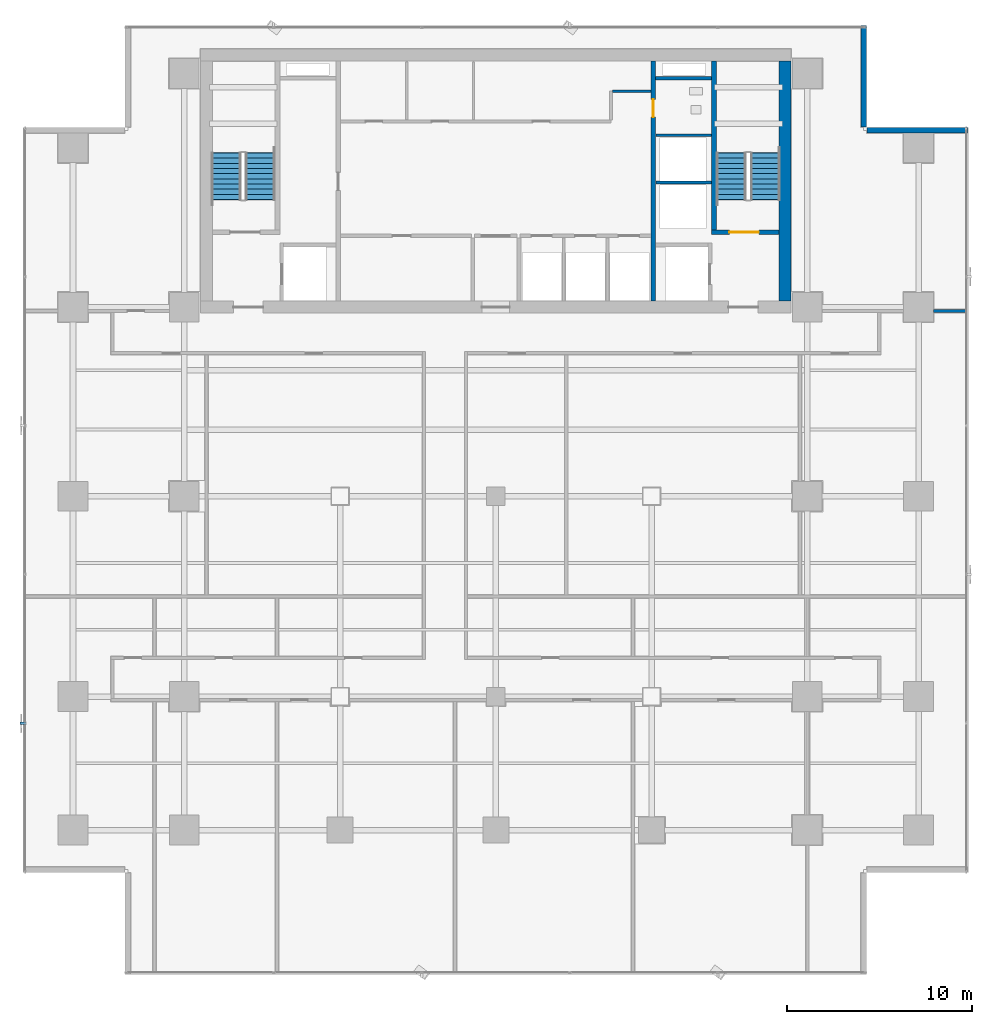
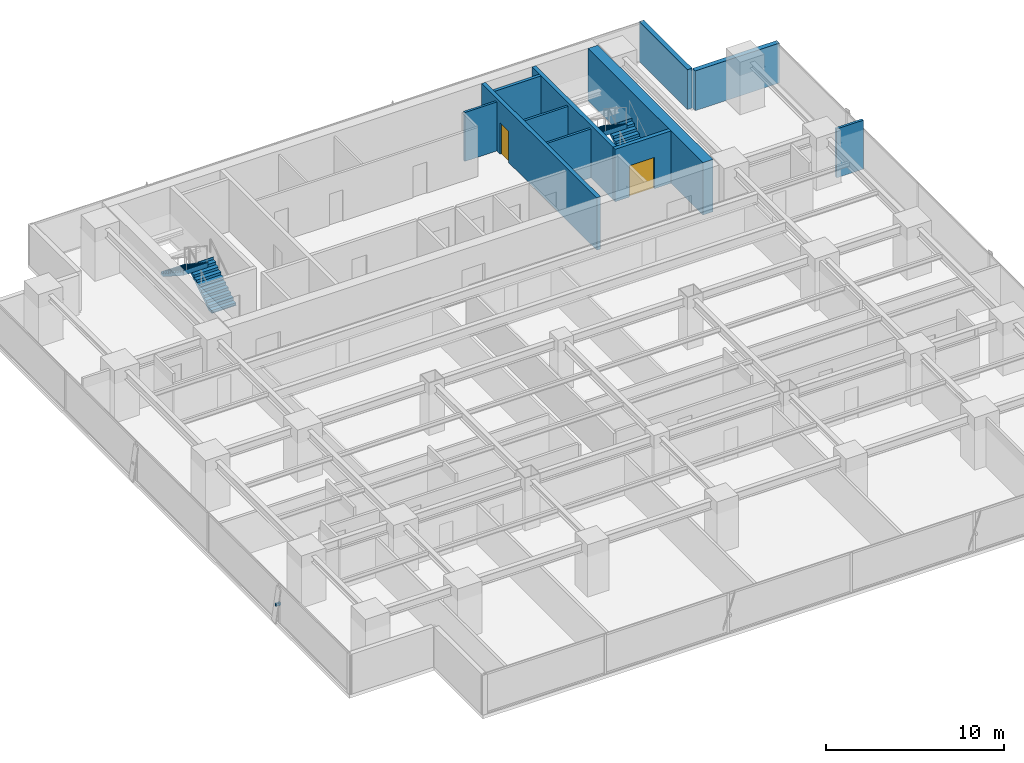
# One storey, part 28 of 35: 11 walls, 4 stair flights, 2 doors, 1 discrete accessory, 2 openings, 2 elements without a shape of their own.
"""IFC4 building model written with IfcOpenShell, lengths in metres."""

from ifc_helpers import new_model, si_unit, direction, frame, frame_2d, origin, origin_2d, place, context, subcontext, project, spatial, polyline, rectangle, outline, extrude, source, transform, mapped, material, layer, layer_set, material_profile, profile_set, type_object, element, fill, aggregate, save


model = new_model("IFC4")

# Units and contexts
model_context = context("Model", 3, precision=1e-05, world=origin(), true_north=direction((0.0, 1.0)))
body_context = subcontext(model_context, "Body", "Model", "MODEL_VIEW")
ifc_project = project(units=[si_unit("LENGTHUNIT", "METRE"), si_unit("AREAUNIT", "SQUARE_METRE"), si_unit("VOLUMEUNIT", "CUBIC_METRE"), si_unit("PLANEANGLEUNIT", "RADIAN"), si_unit("MASSUNIT", "GRAM", prefix="KILO")], contexts=[model_context])

# Site, building, storey
site_placement = place(None, origin())
site = spatial("IfcSite", under=ifc_project, at=site_placement, CompositionType="ELEMENT")
building_placement = place(site_placement, origin())
building = spatial("IfcBuilding", under=site, at=building_placement, Name="Sumidabori Civic Tower", CompositionType="ELEMENT")
storey_placement = place(building_placement, frame((0.0, 0.0, 102.800048828125)))
storey = spatial("IfcBuildingStorey", under=building, at=storey_placement, Name="L26", CompositionType="ELEMENT", Elevation=102.800048828125)

# Walls
ifc_material_1 = material(Name="Concrete C50/60", Category="concrete")
ifc_layer_1 = layer(ifc_material_1, 0.199951171875, Name="Concrete C50/60")
ifc_layer_set_1 = layer_set([ifc_layer_1], Name="Concrete C50/60")
wall_type_1 = type_object("IfcWallType", Name="WL-SHAFT-200", PredefinedType="SHEAR", material=ifc_layer_set_1)
shared_shape_1 = source(origin(), body_context, "Body", "SweptSolid", [
    extrude(rectangle(XDim=3.02001953125, YDim=0.199951171875, at=frame_2d((1.510009765625, 0.0))), origin(), (0.0, 0.0, 1.0), 3.599853515625),
])
wall_1_placement = place(storey_placement, frame((8.625, 22.550048828125, 0.0), z_axis=(0.0, 0.0, 1.0), x_axis=(1.0, 0.0, 0.0)))
element("IfcWall", 1, at=wall_1_placement, inside=storey, type_object=wall_type_1, Name="Core Shear Wall L26 RIS2-S", PredefinedType="SHEAR", context=body_context, shape_type="MappedRepresentation", body=[
    mapped(shared_shape_1, transform((0.0, 0.0, 0.0), x_axis=(1.0, 0.0, 0.0), y_axis=(0.0, 1.0, 0.0), z_axis=(0.0, 0.0, 1.0), scale=1.0)),
])
ifc_material_2 = material(Name="Concrete C60/75", Category="concrete")
ifc_layer_2 = layer(ifc_material_2, 0.64990234375, Name="Concrete C60/75")
ifc_layer_set_2 = layer_set([ifc_layer_2], Name="Concrete C60/75")
wall_type_2 = type_object("IfcWallType", Name="WL-CORE-650", PredefinedType="SHEAR", material=ifc_layer_set_2)
shared_shape_2 = source(origin(), body_context, "Body", "SweptSolid", [
    extrude(rectangle(XDim=12.9501953125, YDim=0.64990234375, at=frame_2d((6.47509765625, 0.0))), origin(), (0.0, 0.0, 1.0), 3.599853515625),
])
wall_2_placement = place(storey_placement, frame((15.60009765625, 10.52490234375, 0.0), z_axis=(0.0, 0.0, 1.0), x_axis=(0.0, 1.0, 0.0)))
element("IfcWall", 2, at=wall_2_placement, inside=storey, type_object=wall_type_2, Name="Core Shear Wall L26 E", PredefinedType="SHEAR", context=body_context, shape_type="MappedRepresentation", body=[
    mapped(shared_shape_2, transform((0.0, 0.0, 0.0), x_axis=(1.0, 0.0, 0.0), y_axis=(0.0, 1.0, 0.0), z_axis=(0.0, 0.0, 1.0), scale=1.0)),
])

# Wall, opening, door
ifc_layer_3 = layer(ifc_material_1, 0.25, Name="Concrete C50/60")
ifc_layer_set_3 = layer_set([ifc_layer_3], Name="Concrete C50/60")
wall_type_3 = type_object("IfcWallType", Name="WL-SHAFT-250", PredefinedType="SHEAR", material=ifc_layer_set_3)
shared_shape_3 = source(origin(), body_context, "Body", "SweptSolid", [
    extrude(rectangle(XDim=12.9501953125, YDim=0.25, at=frame_2d((6.47509765625, 0.0))), origin(), (0.0, 0.0, 1.0), 3.599853515625),
])
wall_3_placement = place(storey_placement, frame((8.5, 10.52490234375, 0.0), z_axis=(0.0, 0.0, 1.0), x_axis=(0.0, 1.0, 0.0)))
wall_3 = element("IfcWall", 3, at=wall_3_placement, inside=storey, type_object=wall_type_3, Name="Core Shear Wall L26 WEB-E", PredefinedType="SHEAR", context=body_context, shape_type="MappedRepresentation", body=[
    mapped(shared_shape_3, transform((0.0, 0.0, 0.0), x_axis=(1.0, 0.0, 0.0), y_axis=(0.0, 1.0, 0.0), z_axis=(0.0, 0.0, 1.0), scale=1.0)),
])
opening_1_placement = place(wall_3_placement, frame((9.925048828125, 0.0, 0.0)))
opening_1 = element("IfcOpeningElement", 4, at=opening_1_placement, cuts=wall_3, Name="Opening DR-2", PredefinedType="OPENING", context=body_context, shape_type="SweptSolid", body=[
    extrude(rectangle(XDim=0.949951171875, YDim=2.14990234375, at=frame_2d((0.47509765625, 1.074951171875))), frame((0.0, 0.136962890625, 0.0), z_axis=(0.0, -1.0, 0.0), x_axis=(1.0, 0.0, 0.0)), (0.0, 0.0, 1.0), 0.27392578125),
])
ifc_material_3 = material(Name="Japanese Hinoki Timber", Category="wood")
door_type_1 = type_object("IfcDoorType", Name="DR-INT-950", OperationType="NOTDEFINED", PredefinedType="DOOR", material=ifc_material_3)
shared_shape_4 = source(origin(), body_context, "Body", "SweptSolid", [
    extrude(rectangle(XDim=0.949951171875, YDim=2.14990234375, at=frame_2d((0.47509765625, 1.074951171875))), frame((0.0, 0.02490234375, 0.0), z_axis=(0.0, -1.0, 0.0), x_axis=(1.0, 0.0, 0.0)), (0.0, 0.0, 1.0), 0.050048828125),
])
door_1_placement = place(opening_1_placement, origin())
door_1 = element("IfcDoor", 5, at=door_1_placement, inside=storey, type_object=door_type_1, Name="Door DR:L26:WC-ACC", OperationType="SINGLE_SWING_RIGHT", OverallHeight=2.14990234375, OverallWidth=0.949951171875, PredefinedType="DOOR", context=body_context, shape_type="MappedRepresentation", body=[
    mapped(shared_shape_4, transform((0.0, 0.0, 0.0), x_axis=(1.0, 0.0, 0.0), y_axis=(0.0, 1.0, 0.0), z_axis=(0.0, 0.0, 1.0), scale=1.0)),
])
fill(opening_1, door_1)

shared_shape_5 = source(origin(), body_context, "Body", "SweptSolid", [
    extrude(rectangle(XDim=3.6298828125, YDim=0.25, at=frame_2d((1.81494140625, 0.0))), origin(), (0.0, 0.0, 1.0), 3.599853515625),
])
wall_4_placement = place(storey_placement, frame((11.64501953125, 14.25, 0.0), z_axis=(0.0, 0.0, 1.0), x_axis=(1.0, 0.0, 0.0)))
wall_4 = element("IfcWall", 6, at=wall_4_placement, inside=storey, type_object=wall_type_3, Name="Core Shear Wall L26 ST2-S", PredefinedType="SHEAR", context=body_context, shape_type="MappedRepresentation", body=[
    mapped(shared_shape_5, transform((0.0, 0.0, 0.0), x_axis=(1.0, 0.0, 0.0), y_axis=(0.0, 1.0, 0.0), z_axis=(0.0, 0.0, 1.0), scale=1.0)),
])
opening_2_placement = place(wall_4_placement, frame((0.949951171875, 0.0, 0.0)))
opening_2 = element("IfcOpeningElement", 7, at=opening_2_placement, cuts=wall_4, Name="Opening DR-FD4", PredefinedType="OPENING", context=body_context, shape_type="SweptSolid", body=[
    extrude(rectangle(XDim=1.60009765625, YDim=2.14990234375, at=frame_2d((0.800048828125, 1.074951171875))), frame((0.0, 0.136962890625, 0.0), z_axis=(0.0, -1.0, 0.0), x_axis=(1.0, 0.0, 0.0)), (0.0, 0.0, 1.0), 0.27392578125),
])
ifc_material_4 = material(Name="Steel SN490", Category="steel")
door_type_2 = type_object("IfcDoorType", Name="DR-FD4", OperationType="DOUBLE_DOOR_SINGLE_SWING", PredefinedType="DOOR", material=ifc_material_4)
shared_shape_6 = source(origin(), body_context, "Body", "SweptSolid", [
    extrude(rectangle(XDim=1.60009765625, YDim=2.14990234375, at=frame_2d((0.800048828125, 1.074951171875))), frame((0.0, 0.02490234375, 0.0), z_axis=(0.0, -1.0, 0.0), x_axis=(1.0, 0.0, 0.0)), (0.0, 0.0, 1.0), 0.050048828125),
])
door_2_placement = place(opening_2_placement, origin())
door_2 = element("IfcDoor", 8, at=door_2_placement, inside=storey, type_object=door_type_2, Name="Door DR:L26:ST2", OperationType="DOUBLE_DOOR_SINGLE_SWING", OverallHeight=2.14990234375, OverallWidth=1.60009765625, PredefinedType="DOOR", context=body_context, shape_type="MappedRepresentation", body=[
    mapped(shared_shape_6, transform((0.0, 0.0, 0.0), x_axis=(1.0, 0.0, 0.0), y_axis=(0.0, 1.0, 0.0), z_axis=(0.0, 0.0, 1.0), scale=1.0)),
])
fill(opening_2, door_2)

# Walls
shared_shape_7 = source(origin(), body_context, "Body", "SweptSolid", [
    extrude(rectangle(XDim=9.10009765625, YDim=0.25, at=frame_2d((4.550048828125, 0.0))), origin(), (0.0, 0.0, 1.0), 3.599853515625),
])
wall_5_placement = place(storey_placement, frame((11.77001953125, 14.375, 0.0), z_axis=(0.0, 0.0, 1.0), x_axis=(0.0, 1.0, 0.0)))
element("IfcWall", 9, at=wall_5_placement, inside=storey, type_object=wall_type_3, Name="Core Shear Wall L26 ST2-W", PredefinedType="SHEAR", context=body_context, shape_type="MappedRepresentation", body=[
    mapped(shared_shape_7, transform((0.0, 0.0, 0.0), x_axis=(1.0, 0.0, 0.0), y_axis=(0.0, 1.0, 0.0), z_axis=(0.0, 0.0, 1.0), scale=1.0)),
])
ifc_material_5 = material(Name="Precast concrete C40/50", Category="concrete")
ifc_layer_4 = layer(ifc_material_5, 0.300048828125, Name="Precast concrete C40/50")
ifc_layer_set_4 = layer_set([ifc_layer_4], Name="Precast concrete C40/50")
wall_type_4 = type_object("IfcWallType", Name="WL-EXT-POD300", PredefinedType="STANDARD", material=ifc_layer_set_4)
shared_shape_8 = source(origin(), body_context, "Body", "SweptSolid", [
    extrude(rectangle(XDim=5.4599609375, YDim=0.300048828125, at=frame_2d((2.72998046875, 0.0))), origin(), (0.0, 0.0, 1.0), 2.739990234375),
])
for number, where, z_axis, x_axis, name in (
    (10, (25.47998046875, 19.75, 0.0), (0.0, 0.0, 1.0), (-1.0, 0.0, 0.0), "Notched Corner Spandrel Band L26-05"),
    (11, (19.85009765625, 19.919921875, 0.0), (0.0, 0.0, 1.0), (0.0, 1.0, 0.0), "Notched Corner Spandrel Band L26-06"),
):
    element("IfcWall", number, at=place(storey_placement, frame(where, z_axis=z_axis, x_axis=x_axis)), inside=storey, type_object=wall_type_4, Name=name, PredefinedType="STANDARD", context=body_context, shape_type="MappedRepresentation", body=[
        mapped(shared_shape_8, transform((0.0, 0.0, 0.0), x_axis=(1.0, 0.0, 0.0), y_axis=(0.0, 1.0, 0.0), z_axis=(0.0, 0.0, 1.0), scale=1.0)),
    ])
ifc_material_6 = material(Name="Gypsum Plasterboard Acoustic Partition")
ifc_layer_5 = layer(ifc_material_6, 0.14990234375, Name="Gypsum Plasterboard Acoustic Partition")
ifc_layer_set_5 = layer_set([ifc_layer_5], Name="Gypsum Plasterboard Acoustic Partition")
wall_type_5 = type_object("IfcWallType", Name="WL-PART-150", PredefinedType="PARTITIONING", material=ifc_layer_set_5)
shared_shape_9 = source(origin(), body_context, "Body", "SweptSolid", [
    extrude(rectangle(XDim=3.010009765625, YDim=0.14990234375, at=frame_2d((1.5048828125, 0.0))), origin(), (0.0, 0.0, 1.0), 3.35986328125),
])
for number, where, z_axis, x_axis, name in (
    (12, (8.6298828125, 16.919921875, 0.0), (0.0, 0.0, 1.0), (1.0, 0.0, 0.0), "Interior Partition WL:L26:DIV-OBS1"),
    (13, (8.6298828125, 19.469970703125, 0.0), (0.0, 0.0, 1.0), (1.0, 0.0, 0.0), "Interior Partition WL:L26:DIV-OBS2"),
):
    element("IfcWall", number, at=place(storey_placement, frame(where, z_axis=z_axis, x_axis=x_axis)), inside=storey, type_object=wall_type_5, Name=name, PredefinedType="PARTITIONING", context=body_context, shape_type="MappedRepresentation", body=[
        mapped(shared_shape_9, transform((0.0, 0.0, 0.0), x_axis=(1.0, 0.0, 0.0), y_axis=(0.0, 1.0, 0.0), z_axis=(0.0, 0.0, 1.0), scale=1.0)),
    ])
shared_shape_10 = source(origin(), body_context, "Body", "SweptSolid", [
    extrude(rectangle(XDim=2.070068359375, YDim=0.14990234375, at=frame_2d((1.03515625, 0.0))), origin(), (0.0, 0.0, 1.0), 3.35986328125),
])
wall_6_placement = place(storey_placement, frame((6.300048828125, 21.85009765625, 0.0), z_axis=(0.0, 0.0, 1.0), x_axis=(1.0, 0.0, 0.0)))
element("IfcWall", 14, at=wall_6_placement, inside=storey, type_object=wall_type_5, Name="Interior Partition WL:L26:CBAND-ME2", PredefinedType="PARTITIONING", context=body_context, shape_type="MappedRepresentation", body=[
    mapped(shared_shape_10, transform((0.0, 0.0, 0.0), x_axis=(1.0, 0.0, 0.0), y_axis=(0.0, 1.0, 0.0), z_axis=(0.0, 0.0, 1.0), scale=1.0)),
])
ifc_layer_6 = layer(ifc_material_6, 0.1650390625, Name="Gypsum Plasterboard Acoustic Partition")
ifc_layer_set_6 = layer_set([ifc_layer_6], Name="Gypsum Plasterboard Acoustic Partition")
wall_type_6 = type_object("IfcWallType", Name="WL-PART-165", PredefinedType="PARTITIONING", material=ifc_layer_set_6)
shared_shape_11 = source(origin(), body_context, "Body", "SweptSolid", [
    extrude(rectangle(XDim=1.739990234375, YDim=0.1650390625, at=frame_2d((0.8701171875, 0.0))), origin(), (0.0, 0.0, 1.0), 3.35986328125),
])
wall_7_placement = place(storey_placement, frame((23.610107421875, 10.0, 0.0), z_axis=(0.0, 0.0, 1.0), x_axis=(1.0, 0.0, 0.0)))
element("IfcWall", 15, at=wall_7_placement, inside=storey, type_object=wall_type_6, Name="Interior Partition WL:L26:FLK-NE-2", PredefinedType="PARTITIONING", context=body_context, shape_type="MappedRepresentation", body=[
    mapped(shared_shape_11, transform((0.0, 0.0, 0.0), x_axis=(1.0, 0.0, 0.0), y_axis=(0.0, 1.0, 0.0), z_axis=(0.0, 0.0, 1.0), scale=1.0)),
])

# Stair, stair flights
ifc_material_7 = material(Name="Concrete C40/50", Category="concrete")
stair_type = type_object("IfcStairType", Name="ST-CORE-1600", PredefinedType="HALF_TURN_STAIR", material=ifc_material_7)
stair_1_placement = place(storey_placement, origin())
stair_1 = element("IfcStair", 16, at=stair_1_placement, inside=storey, type_object=stair_type, Name="L26 ST-1", PredefinedType="HALF_TURN_STAIR")
stair_flight_type = type_object("IfcStairFlightType", Name="SF-CORE-1600", PredefinedType="STRAIGHT", material=ifc_material_7)
shared_shape_12 = source(origin(), body_context, "Body", "SweptSolid", [
    extrude(outline(polyline([(-0.02490234375, 0.0), (-0.02490234375, 0.0400390625), (0.0, 0.0400390625), (0.0, 0.179931640625), (0.280029296875, 0.179931640625), (0.280029296875, 0.360107421875), (0.56005859375, 0.360107421875), (0.56005859375, 0.5400390625), (0.840087890625, 0.5400390625), (0.840087890625, 0.719970703125), (1.1201171875, 0.719970703125), (1.1201171875, 0.89990234375), (1.39990234375, 0.89990234375), (1.39990234375, 1.080078125), (1.679931640625, 1.080078125), (1.679931640625, 1.260009765625), (1.9599609375, 1.260009765625), (1.9599609375, 1.43994140625), (2.239990234375, 1.43994140625), (2.239990234375, 1.6201171875), (2.52001953125, 1.6201171875), (2.52001953125, 1.800048828125), (2.544921875, 1.800048828125), (2.544921875, 1.650146484375), (2.52001953125, 1.44189453125), (0.277099609375, 0.0), (-0.02490234375, 0.0)])), frame((0.0, 0.800048828125, 0.0), z_axis=(0.0, -1.0, 0.0), x_axis=(1.0, 0.0, 0.0)), (0.0, 0.0, 1.0), 1.60009765625),
])
stair_flight_1_placement = place(storey_placement, frame((-12.699951171875, 16.0, 0.0), z_axis=(0.0, 0.0, 1.0), x_axis=(0.0, 1.0, 0.0)))
stair_flight_1 = element("IfcStairFlight", 17, at=stair_flight_1_placement, type_object=stair_flight_type, Name="ST-1 flight 1", NumberOfRisers=10, NumberOfTreads=9, PredefinedType="STRAIGHT", RiserHeight=0.18, TreadLength=0.28, context=body_context, shape_type="MappedRepresentation", body=[
    mapped(shared_shape_12, transform((0.0, 0.0, 0.0), x_axis=(1.0, 0.0, 0.0), y_axis=(0.0, 1.0, 0.0), z_axis=(0.0, 0.0, 1.0), scale=1.0)),
])
stair_flight_2_placement = place(storey_placement, frame((-14.5400390625, 18.52001953125, 1.800048828125), z_axis=(0.0, 0.0, 1.0), x_axis=(0.0, -1.0, 0.0)))
stair_flight_2 = element("IfcStairFlight", 18, at=stair_flight_2_placement, type_object=stair_flight_type, Name="ST-1 flight 2", NumberOfRisers=10, NumberOfTreads=9, PredefinedType="STRAIGHT", RiserHeight=0.18, TreadLength=0.28, context=body_context, shape_type="MappedRepresentation", body=[
    mapped(shared_shape_12, transform((0.0, 0.0, 0.0), x_axis=(1.0, 0.0, 0.0), y_axis=(0.0, 1.0, 0.0), z_axis=(0.0, 0.0, 1.0), scale=1.0)),
])
aggregate(stair_1, [stair_flight_1, stair_flight_2])

stair_2_placement = place(storey_placement, origin())
stair_2 = element("IfcStair", 19, at=stair_2_placement, inside=storey, type_object=stair_type, Name="L26 ST-2", PredefinedType="HALF_TURN_STAIR")
stair_flight_3_placement = place(storey_placement, frame((14.5400390625, 16.0, 0.0), z_axis=(0.0, 0.0, 1.0), x_axis=(0.0, 1.0, 0.0)))
stair_flight_3 = element("IfcStairFlight", 20, at=stair_flight_3_placement, type_object=stair_flight_type, Name="ST-2 flight 1", NumberOfRisers=10, NumberOfTreads=9, PredefinedType="STRAIGHT", RiserHeight=0.18, TreadLength=0.28, context=body_context, shape_type="MappedRepresentation", body=[
    mapped(shared_shape_12, transform((0.0, 0.0, 0.0), x_axis=(1.0, 0.0, 0.0), y_axis=(0.0, 1.0, 0.0), z_axis=(0.0, 0.0, 1.0), scale=1.0)),
])
stair_flight_4_placement = place(storey_placement, frame((12.699951171875, 18.52001953125, 1.800048828125), z_axis=(0.0, 0.0, 1.0), x_axis=(0.0, -1.0, 0.0)))
stair_flight_4 = element("IfcStairFlight", 21, at=stair_flight_4_placement, type_object=stair_flight_type, Name="ST-2 flight 2", NumberOfRisers=10, NumberOfTreads=9, PredefinedType="STRAIGHT", RiserHeight=0.18, TreadLength=0.28, context=body_context, shape_type="MappedRepresentation", body=[
    mapped(shared_shape_12, transform((0.0, 0.0, 0.0), x_axis=(1.0, 0.0, 0.0), y_axis=(0.0, 1.0, 0.0), z_axis=(0.0, 0.0, 1.0), scale=1.0)),
])
aggregate(stair_2, [stair_flight_3, stair_flight_4])

# Discrete accessory
ifc_material_8 = material(Name="Stainless Steel Hairline Finish", Category="steel")
ifc_material_profile = material_profile(ifc_material_8, rectangle(XDim=0.1201171875, YDim=0.179931640625, at=origin_2d()), Name="STEEL BRACKET 180x120")
ifc_profile_set = profile_set([ifc_material_profile], Name="Stainless Steel Hairline Finish")
discrete_accessory_type = type_object("IfcDiscreteAccessoryType", Name="AC-BRK-180", PredefinedType="BRACKET", material=ifc_profile_set)
shared_shape_13 = source(origin(), body_context, "Body", "SweptSolid", [
    extrude(rectangle(XDim=0.1201171875, YDim=0.179931640625, at=origin_2d()), origin(), (0.0, 0.0, 1.0), 0.329833984375),
])
discrete_accessory_placement = place(storey_placement, frame((-25.330078125, -12.241943359375, 1.35986328125), z_axis=(-1.0, 0.0, 0.0), x_axis=(0.0, -1.0, 0.0)))
element("IfcDiscreteAccessory", 22, at=discrete_accessory_placement, inside=storey, type_object=discrete_accessory_type, Name="Bronze Fin Fixing Bracket L26-04", PredefinedType="BRACKET", context=body_context, shape_type="MappedRepresentation", body=[
    mapped(shared_shape_13, transform((0.0, 0.0, 0.0), x_axis=(1.0, 0.0, 0.0), y_axis=(0.0, 1.0, 0.0), z_axis=(0.0, 0.0, 1.0), scale=1.0)),
])

save(model, "model.ifc")
